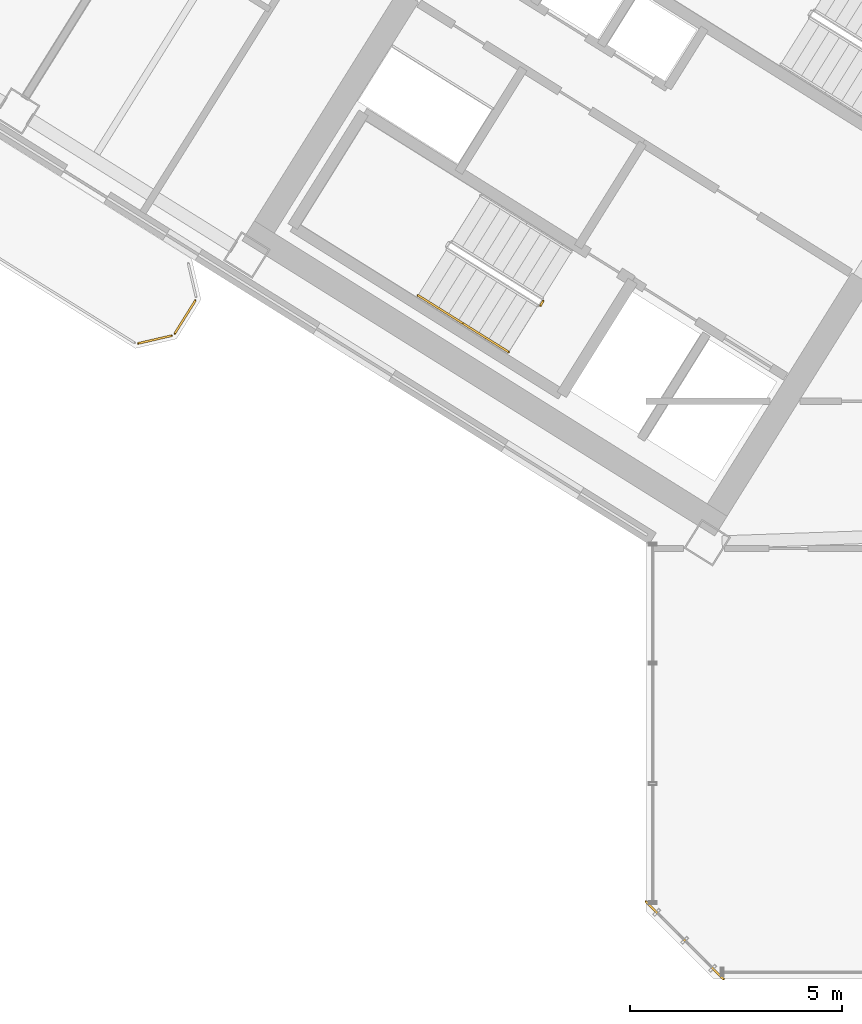
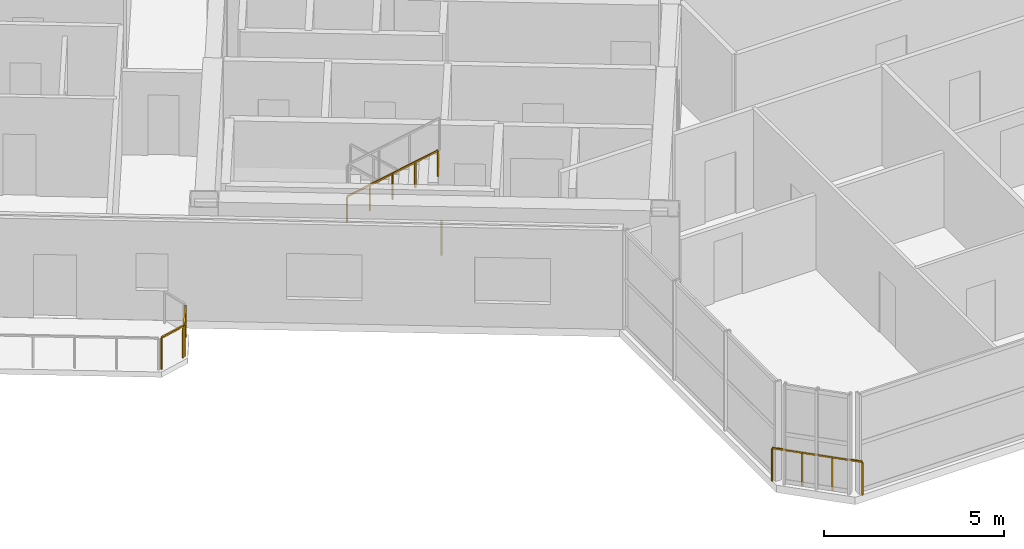
# One storey, part 17 of 21: 6 railings.
"""IFC4 building model written with IfcOpenShell, lengths in metres."""

import ifcopenshell
import ifcopenshell.guid

model = None  # the IFC model being written
_history = None  # IfcOwnerHistory: only IFC2X3 demands one
_inside = {}  # id of a spatial element -> (the spatial element, [elements in it])
_under = {}  # id of a project, library or spatial element -> (it, [spatial elements below it])
_declared = {}  # id of a project -> (the project, [libraries it declares])
_typed = {}  # id of a type object -> (the type object, [elements of that type])
_made_of = {}  # id of a material, layer set ... -> (it, [elements and type objects made of it])


def new_model(schema):
    """Start an empty IFC model of exactly this schema.

    Asked for "IFC4X3", IfcOpenShell would pick the latest addendum, in which some entities
    have other attributes; the version numbers below select the first issue.
    IFC2X3 requires an IfcOwnerHistory on every rooted entity: one is made here for all.
    """
    global model, _history
    if schema == "IFC4X3":
        model = ifcopenshell.file(schema_version=(4, 3, 0, 0))
    else:
        model = ifcopenshell.file(schema=schema)
    _inside.clear()
    _under.clear()
    _declared.clear()
    _typed.clear()
    _made_of.clear()
    _history = None
    if model.schema == "IFC2X3":
        org = make("IfcOrganization", Name="unknown")
        user = make(
            "IfcPersonAndOrganization",
            ThePerson=make("IfcPerson", FamilyName="unknown"),
            TheOrganization=org,
        )
        app = make(
            "IfcApplication",
            ApplicationDeveloper=org,
            Version="unknown",
            ApplicationFullName="unknown",
            ApplicationIdentifier="unknown",
        )
        _history = make(
            "IfcOwnerHistory",
            OwningUser=user,
            OwningApplication=app,
            ChangeAction="ADDED",
            CreationDate=0,
        )
    return model


def make(cls, **values):
    """One entity of the class cls with the attributes given. An attribute that is None is left unset."""
    return model.create_entity(
        cls, **{name: value for name, value in values.items() if value is not None}
    )


def rooted(cls, **values):
    """An entity with a GlobalId (a new one), such as an element, a storey or a relation."""
    return make(cls, GlobalId=ifcopenshell.guid.new(), OwnerHistory=_history, **values)


def si_unit(unit_type, name, prefix=None):
    """IfcSIUnit, for example si_unit("LENGTHUNIT", "METRE", prefix="MILLI")."""
    return make("IfcSIUnit", UnitType=unit_type, Prefix=prefix, Name=name)


def assignment(units):
    """IfcUnitAssignment: the units of a project."""
    return None if units is None else make("IfcUnitAssignment", Units=units)


def point(xyz):
    """IfcCartesianPoint."""
    return None if xyz is None else make("IfcCartesianPoint", Coordinates=xyz)


def direction(xyz):
    """IfcDirection."""
    return None if xyz is None else make("IfcDirection", DirectionRatios=xyz)


def frame(location, z_axis=None, x_axis=None):
    """IfcAxis2Placement3D, a coordinate frame: its origin and axes. An axis left out is left unset."""
    return make(
        "IfcAxis2Placement3D",
        Location=point(location),
        Axis=direction(z_axis),
        RefDirection=direction(x_axis),
    )


def frame_2d(location, x_axis=None):
    """IfcAxis2Placement2D, a coordinate frame in the plane: its origin and x axis."""
    return make(
        "IfcAxis2Placement2D", Location=point(location), RefDirection=direction(x_axis)
    )


def origin():
    """The frame at (0, 0, 0) with its axes left unset."""
    return frame((0.0, 0.0, 0.0))


def origin_2d():
    """The frame at (0, 0) in the plane with its x axis left unset."""
    return frame_2d((0.0, 0.0))


def place(relative_to, where):
    """IfcLocalPlacement: puts the frame where relative to a parent placement (None: the world)."""
    return make(
        "IfcLocalPlacement", PlacementRelTo=relative_to, RelativePlacement=where
    )


def context(
    kind, dimensions, precision=None, world=None, true_north=None, identifier=None
):
    """IfcGeometricRepresentationContext, for example the 3D "Model" context."""
    return make(
        "IfcGeometricRepresentationContext",
        ContextIdentifier=identifier,
        ContextType=kind,
        CoordinateSpaceDimension=dimensions,
        Precision=precision,
        WorldCoordinateSystem=world,
        TrueNorth=true_north,
    )


def subcontext(parent, identifier, kind, view, scale=None):
    """IfcGeometricRepresentationSubContext, for example "Body" below "Model"."""
    return make(
        "IfcGeometricRepresentationSubContext",
        ContextIdentifier=identifier,
        ContextType=kind,
        ParentContext=parent,
        TargetScale=scale,
        TargetView=view,
    )


def project(units=None, contexts=None):
    """IfcProject with its units and contexts."""
    return rooted(
        "IfcProject",
        Name="project",
        RepresentationContexts=contexts,
        UnitsInContext=assignment(units),
    )


def spatial(cls, under=None, at=None, **own):
    """A site, building, storey or space (cls), placed at a placement, below another one or the project."""
    s = rooted(cls, ObjectPlacement=at, **own)
    if under is not None:
        _under.setdefault(under.id(), (under, []))[1].append(s)
    return s


def profile(cls, at=None, kind="AREA", **sizes):
    """A parametric profile (cls). Its sizes go by their IFC names, for example OverallWidth=200.0."""
    return make(cls, ProfileType=kind, Position=at, **sizes)


def rectangle(**sizes):
    """IfcRectangleProfileDef."""
    return profile("IfcRectangleProfileDef", **sizes)


def extrude(swept, where, along, depth):
    """IfcExtrudedAreaSolid: the profile swept, set in the frame where, extruded along a direction by depth."""
    return make(
        "IfcExtrudedAreaSolid",
        SweptArea=swept,
        Position=where,
        ExtrudedDirection=direction(along),
        Depth=depth,
    )


def shape(context_of_items, identifier, shape_type, items):
    """IfcShapeRepresentation: the items that make up one representation, for example the "Body"."""
    return make(
        "IfcShapeRepresentation",
        ContextOfItems=context_of_items,
        RepresentationIdentifier=identifier,
        RepresentationType=shape_type,
        Items=items,
    )


def source(mapping_origin, context_of_items, identifier, shape_type, items):
    """IfcRepresentationMap: a shape defined once, which mapped items show again and again."""
    return make(
        "IfcRepresentationMap",
        MappingOrigin=mapping_origin,
        MappedRepresentation=shape(context_of_items, identifier, shape_type, items),
    )


def transform(
    local_origin,
    x_axis=None,
    y_axis=None,
    z_axis=None,
    scale=None,
    scale2=None,
    scale3=None,
    uniform=True,
):
    """IfcCartesianTransformationOperator3D, or its non-uniform kind. x_axis, y_axis, z_axis: its Axis1, 2, 3."""
    if uniform:
        return make(
            "IfcCartesianTransformationOperator3D",
            Axis1=direction(x_axis),
            Axis2=direction(y_axis),
            LocalOrigin=point(local_origin),
            Scale=scale,
            Axis3=direction(z_axis),
        )
    return make(
        "IfcCartesianTransformationOperator3DnonUniform",
        Axis1=direction(x_axis),
        Axis2=direction(y_axis),
        LocalOrigin=point(local_origin),
        Scale=scale,
        Axis3=direction(z_axis),
        Scale2=scale2,
        Scale3=scale3,
    )


def mapped(mapping_source, mapping_target):
    """IfcMappedItem: shows the shape of a source again, moved by a transform."""
    return make(
        "IfcMappedItem", MappingSource=mapping_source, MappingTarget=mapping_target
    )


def material(Name=None, Category=None):
    """IfcMaterial."""
    return make("IfcMaterial", Name=Name, Category=Category)


def made_of(thing, what):
    """Note that an element or type object is made of a material, layer set ...; save() writes the relation."""
    if what is not None:
        _made_of.setdefault(what.id(), (what, []))[1].append(thing)
    return thing


def type_object(cls, material=None, **own):
    """A type object (cls), such as IfcWallType, which elements share."""
    return made_of(rooted(cls, **own), material)


def element(
    cls,
    number,
    at=None,
    inside=None,
    cuts=None,
    type_object=None,
    material=None,
    context=None,
    identifier="Body",
    shape_type=None,
    held_by="IfcProductDefinitionShape",
    body=None,
    shapes=None,
    **own,
):
    """One element of the class cls, such as IfcWall. Its Tag is "e" and its number.

    at: its placement. inside: the storey or other place that contains it. cuts: it is an
    opening in that element (IfcRelVoidsElement). A single representation is given by context,
    identifier, shape_type and body (its items); several are given by shapes. held_by: the class
    of the entity that holds the representations. save() writes the other relations.
    """
    e = rooted(cls, Tag="e%d" % number, ObjectPlacement=at, **own)
    if body is not None:
        shapes = [shape(context, identifier, shape_type, body)]
    if shapes is not None:
        e.Representation = make(held_by, Representations=shapes)
    if inside is not None:
        _inside.setdefault(inside.id(), (inside, []))[1].append(e)
    if cuts is not None:
        rooted(
            "IfcRelVoidsElement", RelatingBuildingElement=cuts, RelatedOpeningElement=e
        )
    if type_object is not None:
        _typed.setdefault(type_object.id(), (type_object, []))[1].append(e)
    return made_of(e, material)


def aggregate(whole, parts):
    """IfcRelAggregates: a whole, such as a stair, and the parts it consists of."""
    return rooted("IfcRelAggregates", RelatingObject=whole, RelatedObjects=parts)


def save(model, path):
    """Write the relations noted so far, then the file.

    IfcRelAggregates (storeys below a building ...), IfcRelContainedInSpatialStructure (elements
    in a storey), IfcRelDefinesByType, IfcRelAssociatesMaterial and IfcRelDeclares: one each for
    every whole, place, type object, material and project.
    """
    for whole, parts in _under.values():
        aggregate(whole, parts)
    for where, things in _inside.values():
        rooted(
            "IfcRelContainedInSpatialStructure",
            RelatedElements=things,
            RelatingStructure=where,
        )
    for kind, things in _typed.values():
        rooted("IfcRelDefinesByType", RelatedObjects=things, RelatingType=kind)
    for what, things in _made_of.values():
        rooted("IfcRelAssociatesMaterial", RelatedObjects=things, RelatingMaterial=what)
    for by, libraries in _declared.values():
        rooted("IfcRelDeclares", RelatingContext=by, RelatedDefinitions=libraries)
    model.write(path)


model = new_model("IFC4")

# Units and contexts
model_context = context("Model", 3, precision=1e-05, world=origin(), true_north=direction((0.0, 1.0)))
body_context = subcontext(model_context, "Body", "Model", "MODEL_VIEW")
ifc_project = project(units=[si_unit("LENGTHUNIT", "METRE"), si_unit("AREAUNIT", "SQUARE_METRE"), si_unit("VOLUMEUNIT", "CUBIC_METRE"), si_unit("PLANEANGLEUNIT", "RADIAN"), si_unit("MASSUNIT", "GRAM", prefix="KILO")], contexts=[model_context])

# Site, building, storey
site_placement = place(None, origin())
site = spatial("IfcSite", under=ifc_project, at=site_placement, CompositionType="ELEMENT")
building_placement = place(site_placement, origin())
building = spatial("IfcBuilding", under=site, at=building_placement, Name="Tlacorven Tower", CompositionType="ELEMENT")
storey_placement = place(building_placement, frame((0.0, 0.0, 184.199951171875)))
storey = spatial("IfcBuildingStorey", under=building, at=storey_placement, Name="L46", CompositionType="ELEMENT", Elevation=184.199951171875)

# Railings
ifc_material = material(Name="Aluminium and painted steel balustrade", Category="steel")
railing_type_1 = type_object("IfcRailingType", Name="RL-BAL-1100", PredefinedType="BALUSTRADE", material=ifc_material)
shared_shape_1 = source(origin(), body_context, "Body", "SweptSolid", [
    extrude(rectangle(XDim=0.048095703125, YDim=0.048095703125, at=origin_2d()), frame((0.0, 0.0, 1.076171875), z_axis=(-0.52987865805, -0.848073468364, 0.0), x_axis=(0.848073468364, -0.52987865805, 0.0)), (0.0, 0.0, 1.0), 0.912353515625),
    extrude(rectangle(XDim=0.0419921875, YDim=0.0419921875, at=origin_2d()), origin(), (0.0, 0.0, 1.0), 1.052001953125),
    extrude(rectangle(XDim=0.0419921875, YDim=0.0419921875, at=origin_2d()), frame((-0.4833984375, -0.773681640625, 0.0)), (0.0, 0.0, 1.0), 1.052001953125),
])
railing_1_placement = place(storey_placement, frame((20.976318359375, 17.793701171875, 0.0)))
element("IfcRailing", 1, at=railing_1_placement, inside=storey, type_object=railing_type_1, Name="BAL-L46-W-OUT Guard Railing 2", PredefinedType="BALUSTRADE", context=body_context, shape_type="MappedRepresentation", body=[
    mapped(shared_shape_1, transform((0.0, 0.0, 0.0), scale=1.0)),
])
shared_shape_2 = source(origin(), body_context, "Body", "SweptSolid", [
    extrude(rectangle(XDim=0.048095703125, YDim=0.048095703125, at=origin_2d()), frame((0.0, 0.0, 1.076171875), z_axis=(-0.974345290916, -0.225058334816, 0.0), x_axis=(0.225058334816, -0.974345290916, 0.0)), (0.0, 0.0, 1.0), 0.80712890625),
    extrude(rectangle(XDim=0.0419921875, YDim=0.0419921875, at=origin_2d()), origin(), (0.0, 0.0, 1.0), 1.052001953125),
    extrude(rectangle(XDim=0.0419921875, YDim=0.0419921875, at=origin_2d()), frame((-0.786376953125, -0.181640625, 0.0)), (0.0, 0.0, 1.0), 1.052001953125),
])
railing_2_placement = place(storey_placement, frame((20.417724609375, 16.966552734375, 0.0)))
element("IfcRailing", 2, at=railing_2_placement, inside=storey, type_object=railing_type_1, Name="BAL-L46-W-OUT Guard Railing 3", PredefinedType="BALUSTRADE", context=body_context, shape_type="MappedRepresentation", body=[
    mapped(shared_shape_2, transform((0.0, 0.0, 0.0), scale=1.0)),
])
railing_type_2 = type_object("IfcRailingType", Name="RL-GRD-1150", PredefinedType="GUARDRAIL", material=ifc_material)
shared_shape_3 = source(origin(), body_context, "Body", "SweptSolid", [
    extrude(rectangle(XDim=0.048095703125, YDim=0.048095703125, at=origin_2d()), frame((0.0, 0.0, 1.1259765625), z_axis=(-0.707106781187, 0.707106781187, 0.0), x_axis=(-0.707106781187, -0.707106781187, 0.0)), (0.0, 0.0, 1.0), 2.590087890625),
    extrude(rectangle(XDim=0.0419921875, YDim=0.0419921875, at=origin_2d()), origin(), (0.0, 0.0, 1.0), 1.101806640625),
    extrude(rectangle(XDim=0.0419921875, YDim=0.0419921875, at=origin_2d()), frame((-0.610595703125, 0.610595703125, 0.0)), (0.0, 0.0, 1.0), 1.101806640625),
    extrude(rectangle(XDim=0.0419921875, YDim=0.0419921875, at=origin_2d()), frame((-1.220947265625, 1.220947265625, 0.0)), (0.0, 0.0, 1.0), 1.101806640625),
    extrude(rectangle(XDim=0.0419921875, YDim=0.0419921875, at=origin_2d()), frame((-1.83154296875, 1.83154296875, 0.0)), (0.0, 0.0, 1.0), 1.101806640625),
])
railing_3_placement = place(storey_placement, frame((33.428955078125, 1.79736328125, 0.0)))
element("IfcRailing", 3, at=railing_3_placement, inside=storey, type_object=railing_type_2, Name="L46 Knuckle Glazed Sill Guard 1", PredefinedType="GUARDRAIL", context=body_context, shape_type="MappedRepresentation", body=[
    mapped(shared_shape_3, transform((0.0, 0.0, 0.0), scale=1.0)),
])
railing_type_3 = type_object("IfcRailingType", Name="RL-GRD-1100", PredefinedType="GUARDRAIL", material=ifc_material)
shared_shape_4 = source(origin(), body_context, "Body", "SweptSolid", [
    extrude(rectangle(XDim=0.048095703125, YDim=0.048095703125, at=origin_2d()), frame((0.0, 0.0, 1.076171875), z_axis=(-0.529084052582, -0.848569422795, 0.0), x_axis=(0.848569422795, -0.529084052582, 0.0)), (0.0, 0.0, 1.0), 0.119873046875),
    extrude(rectangle(XDim=0.0419921875, YDim=0.0419921875, at=origin_2d()), origin(), (0.0, 0.0, 1.0), 1.052001953125),
    extrude(rectangle(XDim=0.0419921875, YDim=0.0419921875, at=origin_2d()), frame((-0.0634765625, -0.101806640625, 0.0)), (0.0, 0.0, 1.0), 1.052001953125),
])
railing_4_placement = place(storey_placement, frame((29.176513671875, 17.782958984375, 0.0)))
element("IfcRailing", 4, at=railing_4_placement, inside=storey, type_object=railing_type_3, Name="L46 ST-W1 stair guard 4", PredefinedType="GUARDRAIL", context=body_context, shape_type="MappedRepresentation", body=[
    mapped(shared_shape_4, transform((0.0, 0.0, 0.0), scale=1.0)),
])
railing_type_4 = type_object("IfcRailingType", Name="RL-HND-0900", PredefinedType="HANDRAIL", material=ifc_material)
shared_shape_5 = source(origin(), body_context, "Body", "SweptSolid", [
    extrude(rectangle(XDim=0.048095703125, YDim=0.048095703125, at=origin_2d()), frame((0.0, 0.0, 0.8759765625), z_axis=(0.713359751793, -0.4457479829, 0.540764828981), x_axis=(0.529911857636, 0.848052724267, 0.0)), (0.0, 0.0, 1.0), 1.498046875),
    extrude(rectangle(XDim=0.0419921875, YDim=0.0419921875, at=origin_2d()), origin(), (0.0, 0.0, 1.0), 0.851806640625),
    extrude(rectangle(XDim=0.0419921875, YDim=0.0419921875, at=origin_2d()), frame((0.5341796875, -0.333984375, 0.405029296875)), (0.0, 0.0, 1.0), 0.851806640625),
    extrude(rectangle(XDim=0.0419921875, YDim=0.0419921875, at=origin_2d()), frame((1.068603515625, -0.667724609375, 0.81005859375)), (0.0, 0.0, 1.0), 0.851806640625),
])
railing_5_placement = place(storey_placement, frame((26.228759765625, 17.915283203125, 1.97998046875)))
element("IfcRailing", 5, at=railing_5_placement, inside=storey, type_object=railing_type_4, Name="L46 ST-W1 stair handrail 3", PredefinedType="HANDRAIL", context=body_context, shape_type="MappedRepresentation", body=[
    mapped(shared_shape_5, transform((0.0, 0.0, 0.0), scale=1.0)),
])
shared_shape_6 = source(origin(), body_context, "Body", "SweptSolid", [
    extrude(rectangle(XDim=0.048095703125, YDim=0.048095703125, at=origin_2d()), frame((0.0, 0.0, 0.8759765625), z_axis=(0.713279695859, -0.445799809912, 0.540827703579), x_axis=(0.529998940003, 0.847998304005, 0.0)), (0.0, 0.0, 1.0), 1.497802734375),
    extrude(rectangle(XDim=0.0419921875, YDim=0.0419921875, at=origin_2d()), origin(), (0.0, 0.0, 1.0), 0.851806640625),
    extrude(rectangle(XDim=0.0419921875, YDim=0.0419921875, at=origin_2d()), frame((0.5341796875, -0.333984375, 0.405029296875)), (0.0, 0.0, 1.0), 0.851806640625),
    extrude(rectangle(XDim=0.0419921875, YDim=0.0419921875, at=origin_2d()), frame((1.068359375, -0.667724609375, 0.81005859375)), (0.0, 0.0, 1.0), 0.851806640625),
])
railing_6_placement = place(storey_placement, frame((27.29736328125, 17.24755859375, 2.7900390625)))
element("IfcRailing", 6, at=railing_6_placement, inside=storey, type_object=railing_type_4, Name="L46 ST-W1 stair handrail 4", PredefinedType="HANDRAIL", context=body_context, shape_type="MappedRepresentation", body=[
    mapped(shared_shape_6, transform((0.0, 0.0, 0.0), scale=1.0)),
])

save(model, "model.ifc")
